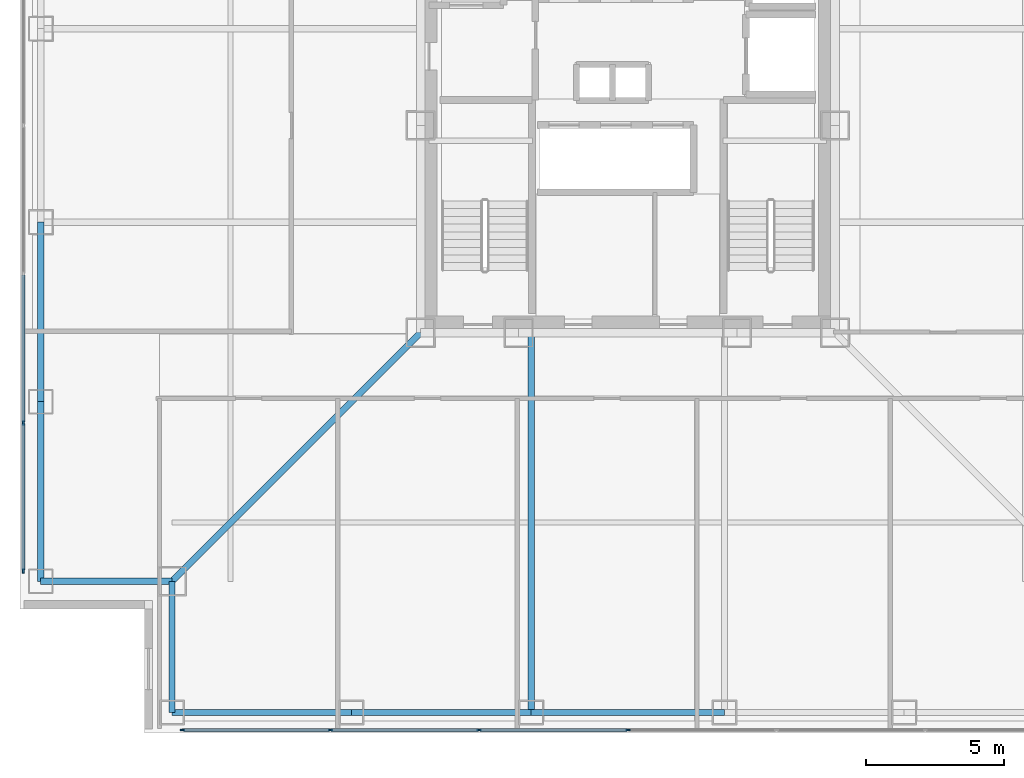
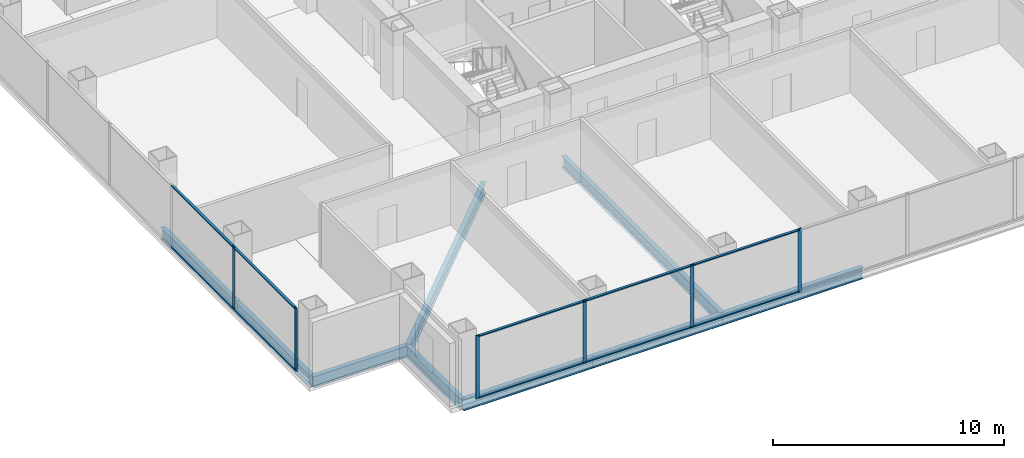
# One storey, part 2 of 17: 16 members, 9 beams, 2 elements without a shape of their own.
"""IFC4 building model written with IfcOpenShell, lengths in metres."""

import ifcopenshell
import ifcopenshell.guid

model = None  # the IFC model being written
_history = None  # IfcOwnerHistory: only IFC2X3 demands one
_inside = {}  # id of a spatial element -> (the spatial element, [elements in it])
_under = {}  # id of a project, library or spatial element -> (it, [spatial elements below it])
_declared = {}  # id of a project -> (the project, [libraries it declares])
_typed = {}  # id of a type object -> (the type object, [elements of that type])
_made_of = {}  # id of a material, layer set ... -> (it, [elements and type objects made of it])


def new_model(schema):
    """Start an empty IFC model of exactly this schema.

    Asked for "IFC4X3", IfcOpenShell would pick the latest addendum, in which some entities
    have other attributes; the version numbers below select the first issue.
    IFC2X3 requires an IfcOwnerHistory on every rooted entity: one is made here for all.
    """
    global model, _history
    if schema == "IFC4X3":
        model = ifcopenshell.file(schema_version=(4, 3, 0, 0))
    else:
        model = ifcopenshell.file(schema=schema)
    _inside.clear()
    _under.clear()
    _declared.clear()
    _typed.clear()
    _made_of.clear()
    _history = None
    if model.schema == "IFC2X3":
        org = make("IfcOrganization", Name="unknown")
        user = make(
            "IfcPersonAndOrganization",
            ThePerson=make("IfcPerson", FamilyName="unknown"),
            TheOrganization=org,
        )
        app = make(
            "IfcApplication",
            ApplicationDeveloper=org,
            Version="unknown",
            ApplicationFullName="unknown",
            ApplicationIdentifier="unknown",
        )
        _history = make(
            "IfcOwnerHistory",
            OwningUser=user,
            OwningApplication=app,
            ChangeAction="ADDED",
            CreationDate=0,
        )
    return model


def make(cls, **values):
    """One entity of the class cls with the attributes given. An attribute that is None is left unset."""
    return model.create_entity(
        cls, **{name: value for name, value in values.items() if value is not None}
    )


def rooted(cls, **values):
    """An entity with a GlobalId (a new one), such as an element, a storey or a relation."""
    return make(cls, GlobalId=ifcopenshell.guid.new(), OwnerHistory=_history, **values)


def si_unit(unit_type, name, prefix=None):
    """IfcSIUnit, for example si_unit("LENGTHUNIT", "METRE", prefix="MILLI")."""
    return make("IfcSIUnit", UnitType=unit_type, Prefix=prefix, Name=name)


def assignment(units):
    """IfcUnitAssignment: the units of a project."""
    return None if units is None else make("IfcUnitAssignment", Units=units)


def point(xyz):
    """IfcCartesianPoint."""
    return None if xyz is None else make("IfcCartesianPoint", Coordinates=xyz)


def direction(xyz):
    """IfcDirection."""
    return None if xyz is None else make("IfcDirection", DirectionRatios=xyz)


def frame(location, z_axis=None, x_axis=None):
    """IfcAxis2Placement3D, a coordinate frame: its origin and axes. An axis left out is left unset."""
    return make(
        "IfcAxis2Placement3D",
        Location=point(location),
        Axis=direction(z_axis),
        RefDirection=direction(x_axis),
    )


def frame_2d(location, x_axis=None):
    """IfcAxis2Placement2D, a coordinate frame in the plane: its origin and x axis."""
    return make(
        "IfcAxis2Placement2D", Location=point(location), RefDirection=direction(x_axis)
    )


def origin():
    """The frame at (0, 0, 0) with its axes left unset."""
    return frame((0.0, 0.0, 0.0))


def origin_2d():
    """The frame at (0, 0) in the plane with its x axis left unset."""
    return frame_2d((0.0, 0.0))


def place(relative_to, where):
    """IfcLocalPlacement: puts the frame where relative to a parent placement (None: the world)."""
    return make(
        "IfcLocalPlacement", PlacementRelTo=relative_to, RelativePlacement=where
    )


def context(
    kind, dimensions, precision=None, world=None, true_north=None, identifier=None
):
    """IfcGeometricRepresentationContext, for example the 3D "Model" context."""
    return make(
        "IfcGeometricRepresentationContext",
        ContextIdentifier=identifier,
        ContextType=kind,
        CoordinateSpaceDimension=dimensions,
        Precision=precision,
        WorldCoordinateSystem=world,
        TrueNorth=true_north,
    )


def subcontext(parent, identifier, kind, view, scale=None):
    """IfcGeometricRepresentationSubContext, for example "Body" below "Model"."""
    return make(
        "IfcGeometricRepresentationSubContext",
        ContextIdentifier=identifier,
        ContextType=kind,
        ParentContext=parent,
        TargetScale=scale,
        TargetView=view,
    )


def project(units=None, contexts=None):
    """IfcProject with its units and contexts."""
    return rooted(
        "IfcProject",
        Name="project",
        RepresentationContexts=contexts,
        UnitsInContext=assignment(units),
    )


def spatial(cls, under=None, at=None, **own):
    """A site, building, storey or space (cls), placed at a placement, below another one or the project."""
    s = rooted(cls, ObjectPlacement=at, **own)
    if under is not None:
        _under.setdefault(under.id(), (under, []))[1].append(s)
    return s


def profile(cls, at=None, kind="AREA", **sizes):
    """A parametric profile (cls). Its sizes go by their IFC names, for example OverallWidth=200.0."""
    return make(cls, ProfileType=kind, Position=at, **sizes)


def rectangle(**sizes):
    """IfcRectangleProfileDef."""
    return profile("IfcRectangleProfileDef", **sizes)


def i_section(**sizes):
    """IfcIShapeProfileDef."""
    return profile("IfcIShapeProfileDef", **sizes)


def extrude(swept, where, along, depth):
    """IfcExtrudedAreaSolid: the profile swept, set in the frame where, extruded along a direction by depth."""
    return make(
        "IfcExtrudedAreaSolid",
        SweptArea=swept,
        Position=where,
        ExtrudedDirection=direction(along),
        Depth=depth,
    )


def shape(context_of_items, identifier, shape_type, items):
    """IfcShapeRepresentation: the items that make up one representation, for example the "Body"."""
    return make(
        "IfcShapeRepresentation",
        ContextOfItems=context_of_items,
        RepresentationIdentifier=identifier,
        RepresentationType=shape_type,
        Items=items,
    )


def material(Name=None, Category=None):
    """IfcMaterial."""
    return make("IfcMaterial", Name=Name, Category=Category)


def layer(
    of_material, thickness, ventilated=None, Name=None, Category=None, Priority=None
):
    """IfcMaterialLayer: one layer of a wall or slab, of a material (None: an air gap)."""
    return make(
        "IfcMaterialLayer",
        Material=of_material,
        LayerThickness=thickness,
        IsVentilated=ventilated,
        Name=Name,
        Category=Category,
        Priority=Priority,
    )


def layer_set(layers, Name=None):
    """IfcMaterialLayerSet."""
    return make("IfcMaterialLayerSet", MaterialLayers=layers, LayerSetName=Name)


def material_profile(
    of_material, cross_section, Name=None, Category=None, Priority=None
):
    """IfcMaterialProfile: a cross section and its material."""
    return make(
        "IfcMaterialProfile",
        Name=Name,
        Material=of_material,
        Profile=cross_section,
        Priority=Priority,
        Category=Category,
    )


def profile_set(profiles, Name=None, composite=None):
    """IfcMaterialProfileSet."""
    return make(
        "IfcMaterialProfileSet",
        Name=Name,
        MaterialProfiles=profiles,
        CompositeProfile=composite,
    )


def made_of(thing, what):
    """Note that an element or type object is made of a material, layer set ...; save() writes the relation."""
    if what is not None:
        _made_of.setdefault(what.id(), (what, []))[1].append(thing)
    return thing


def type_object(cls, material=None, **own):
    """A type object (cls), such as IfcWallType, which elements share."""
    return made_of(rooted(cls, **own), material)


def element(
    cls,
    number,
    at=None,
    inside=None,
    cuts=None,
    type_object=None,
    material=None,
    context=None,
    identifier="Body",
    shape_type=None,
    held_by="IfcProductDefinitionShape",
    body=None,
    shapes=None,
    **own,
):
    """One element of the class cls, such as IfcWall. Its Tag is "e" and its number.

    at: its placement. inside: the storey or other place that contains it. cuts: it is an
    opening in that element (IfcRelVoidsElement). A single representation is given by context,
    identifier, shape_type and body (its items); several are given by shapes. held_by: the class
    of the entity that holds the representations. save() writes the other relations.
    """
    e = rooted(cls, Tag="e%d" % number, ObjectPlacement=at, **own)
    if body is not None:
        shapes = [shape(context, identifier, shape_type, body)]
    if shapes is not None:
        e.Representation = make(held_by, Representations=shapes)
    if inside is not None:
        _inside.setdefault(inside.id(), (inside, []))[1].append(e)
    if cuts is not None:
        rooted(
            "IfcRelVoidsElement", RelatingBuildingElement=cuts, RelatedOpeningElement=e
        )
    if type_object is not None:
        _typed.setdefault(type_object.id(), (type_object, []))[1].append(e)
    return made_of(e, material)


def aggregate(whole, parts):
    """IfcRelAggregates: a whole, such as a stair, and the parts it consists of."""
    return rooted("IfcRelAggregates", RelatingObject=whole, RelatedObjects=parts)


def save(model, path):
    """Write the relations noted so far, then the file.

    IfcRelAggregates (storeys below a building ...), IfcRelContainedInSpatialStructure (elements
    in a storey), IfcRelDefinesByType, IfcRelAssociatesMaterial and IfcRelDeclares: one each for
    every whole, place, type object, material and project.
    """
    for whole, parts in _under.values():
        aggregate(whole, parts)
    for where, things in _inside.values():
        rooted(
            "IfcRelContainedInSpatialStructure",
            RelatedElements=things,
            RelatingStructure=where,
        )
    for kind, things in _typed.values():
        rooted("IfcRelDefinesByType", RelatedObjects=things, RelatingType=kind)
    for what, things in _made_of.values():
        rooted("IfcRelAssociatesMaterial", RelatedObjects=things, RelatingMaterial=what)
    for by, libraries in _declared.values():
        rooted("IfcRelDeclares", RelatingContext=by, RelatedDefinitions=libraries)
    model.write(path)


model = new_model("IFC4")

# Units and contexts
model_context = context("Model", 3, precision=1e-05, world=origin(), true_north=direction((0.0, 1.0)))
body_context = subcontext(model_context, "Body", "Model", "MODEL_VIEW")
ifc_project = project(units=[si_unit("LENGTHUNIT", "METRE"), si_unit("AREAUNIT", "SQUARE_METRE"), si_unit("VOLUMEUNIT", "CUBIC_METRE"), si_unit("PLANEANGLEUNIT", "RADIAN"), si_unit("MASSUNIT", "GRAM", prefix="KILO")], contexts=[model_context])

# Site, building, storey
site_placement = place(None, origin())
site = spatial("IfcSite", under=ifc_project, at=site_placement, CompositionType="ELEMENT")
building_placement = place(site_placement, origin())
building = spatial("IfcBuilding", under=site, at=building_placement, Name="Trevonay Congress Spire", CompositionType="ELEMENT")
storey_placement = place(building_placement, frame((0.0, 0.0, 108.39990234375)))
storey = spatial("IfcBuildingStorey", under=building, at=storey_placement, Name="L27", CompositionType="ELEMENT", Elevation=108.39990234375)

# Beams
ifc_material_1 = material(Name="Steel ASTM A572 Grade 50", Category="steel")
ifc_material_profile_1 = material_profile(ifc_material_1, i_section(OverallWidth=0.22998046875, OverallDepth=0.616943359375, WebThickness=0.01318359375, FlangeThickness=0.022216796875, FilletRadius=0.01611328125, at=origin_2d()), Name="W610x140")
ifc_profile_set_1 = profile_set([ifc_material_profile_1], Name="Steel ASTM A572 Grade 50")
beam_type_1 = type_object("IfcBeamType", Name="BM-GIRD-W610X140", PredefinedType="BEAM", material=ifc_profile_set_1)
beam_1_placement = place(storey_placement, frame((-7.5, -7.5, -0.54833984375), z_axis=(-0.707106781187, -0.707106781187, 0.0), x_axis=(0.707106781187, -0.707106781187, 0.0)))
element("IfcBeam", 1, at=beam_1_placement, inside=storey, type_object=beam_type_1, Name="L27 structural beam BM-L27-CDSW", PredefinedType="BEAM", context=body_context, shape_type="SweptSolid", body=[
    extrude(i_section(OverallWidth=0.22998046875, OverallDepth=0.616943359375, WebThickness=0.01318359375, FlangeThickness=0.022216796875, FilletRadius=0.01611328125, at=origin_2d()), origin(), (0.0, 0.0, 1.0), 12.72802734375),
])
beam_2_placement = place(storey_placement, frame((-3.5, -7.5, -0.54833984375), z_axis=(0.0, -1.0, 0.0), x_axis=(1.0, 0.0, 0.0)))
element("IfcBeam", 2, at=beam_2_placement, inside=storey, type_object=beam_type_1, Name="L27 structural beam BM-L27-GS-M", PredefinedType="BEAM", context=body_context, shape_type="SweptSolid", body=[
    extrude(i_section(OverallWidth=0.22998046875, OverallDepth=0.616943359375, WebThickness=0.01318359375, FlangeThickness=0.022216796875, FilletRadius=0.01611328125, at=origin_2d()), origin(), (0.0, 0.0, 1.0), 13.75),
])
ifc_material_profile_2 = material_profile(ifc_material_1, i_section(OverallWidth=0.22802734375, OverallDepth=0.60791015625, WebThickness=0.01123046875, FlangeThickness=0.017333984375, FilletRadius=0.01611328125, at=origin_2d()), Name="W610x113")
ifc_profile_set_2 = profile_set([ifc_material_profile_2], Name="Steel ASTM A572 Grade 50")
beam_type_2 = type_object("IfcBeamType", Name="BM-RING-W610X113", PredefinedType="BEAM", material=ifc_profile_set_2)
for number, where, z_axis, x_axis, name in (
    (3, (-16.5, -21.25, -0.5439453125), (1.0, 0.0, 0.0), (0.0, 1.0, 0.0), "L27 structural beam BM-L27-PS1"),
    (4, (-21.25, -16.5, -0.5439453125), (0.0, 1.0, 0.0), (-1.0, 0.0, 0.0), "L27 structural beam BM-L27-PW1"),
    (5, (-10.0, -21.25, -0.5439453125), (1.0, 0.0, 0.0), (0.0, 1.0, 0.0), "L27 structural beam BM-L27-PS2"),
    (6, (-21.25, -10.0, -0.5439453125), (0.0, 1.0, 0.0), (-1.0, 0.0, 0.0), "L27 structural beam BM-L27-PW2"),
):
    element("IfcBeam", number, at=place(storey_placement, frame(where, z_axis=z_axis, x_axis=x_axis)), inside=storey, type_object=beam_type_2, Name=name, PredefinedType="BEAM", context=body_context, shape_type="SweptSolid", body=[
        extrude(i_section(OverallWidth=0.22802734375, OverallDepth=0.60791015625, WebThickness=0.01123046875, FlangeThickness=0.017333984375, FilletRadius=0.01611328125, at=origin_2d()), origin(), (0.0, 0.0, 1.0), 6.5),
    ])
beam_3_placement = place(storey_placement, frame((-3.5, -21.25, -0.5439453125), z_axis=(1.0, 0.0, 0.0), x_axis=(0.0, 1.0, 0.0)))
element("IfcBeam", 7, at=beam_3_placement, inside=storey, type_object=beam_type_2, Name="L27 structural beam BM-L27-PS3", PredefinedType="BEAM", context=body_context, shape_type="SweptSolid", body=[
    extrude(i_section(OverallWidth=0.22802734375, OverallDepth=0.60791015625, WebThickness=0.01123046875, FlangeThickness=0.017333984375, FilletRadius=0.01611328125, at=origin_2d()), origin(), (0.0, 0.0, 1.0), 7.0),
])
for number, where, z_axis, x_axis, name in (
    (8, (-16.5, -21.25, -0.5439453125), (0.0, 1.0, 0.0), (-1.0, 0.0, 0.0), "L27 structural beam BM-L27-N1SW"),
    (9, (-21.25, -16.5, -0.5439453125), (1.0, 0.0, 0.0), (0.0, 1.0, 0.0), "L27 structural beam BM-L27-N2SW"),
):
    element("IfcBeam", number, at=place(storey_placement, frame(where, z_axis=z_axis, x_axis=x_axis)), inside=storey, type_object=beam_type_2, Name=name, PredefinedType="BEAM", context=body_context, shape_type="SweptSolid", body=[
        extrude(i_section(OverallWidth=0.22802734375, OverallDepth=0.60791015625, WebThickness=0.01123046875, FlangeThickness=0.017333984375, FilletRadius=0.01611328125, at=origin_2d()), origin(), (0.0, 0.0, 1.0), 4.75),
    ])

# Curtain wall, members
ifc_material_2 = material(Name="Pale Anodised Aluminium EN AW-6063-T6", Category="aluminium")
ifc_layer = layer(ifc_material_2, 0.175048828125, Name="Pale Anodised Aluminium EN AW-6063-T6")
ifc_layer_set = layer_set([ifc_layer], Name="Pale Anodised Aluminium EN AW-6063-T6")
curtain_wall_type = type_object("IfcCurtainWallType", Name="CW-SYS03-CONGRESS-PALE-METAL", PredefinedType="NOTDEFINED", material=ifc_layer_set)
curtain_wall_1_placement = place(storey_placement, origin())
curtain_wall_1 = element("IfcCurtainWall", 10, at=curtain_wall_1_placement, inside=storey, type_object=curtain_wall_type, Name="L27 S unitised curtain wall", PredefinedType="NOTDEFINED")
ifc_material_profile_3 = material_profile(ifc_material_2, rectangle(XDim=0.06005859375, YDim=0.159912109375, at=origin_2d()), Name="CW-MULLION-160-ALUMINIUM")
ifc_profile_set_3 = profile_set([ifc_material_profile_3], Name="Pale Anodised Aluminium EN AW-6063-T6")
member_type_1 = type_object("IfcMemberType", Name="CW-MULLION-160-ALUMINIUM", PredefinedType="MULLION", material=ifc_profile_set_3)
member_1_placement = place(storey_placement, frame((-16.1201171875, -21.8798828125, 0.0), z_axis=(0.0, 0.0, 1.0), x_axis=(0.0, 1.0, 0.0)))
member_1 = element("IfcMember", 11, at=member_1_placement, type_object=member_type_1, Name="CW03 mullion 1", PredefinedType="MULLION", context=body_context, shape_type="SweptSolid", body=[
    extrude(rectangle(XDim=0.06005859375, YDim=0.159912109375, at=origin_2d()), origin(), (0.0, 0.0, 1.0), 3.360107421875),
])
member_2_placement = place(storey_placement, frame((-10.7666015625, -21.8798828125, 0.0), z_axis=(0.0, 0.0, 1.0), x_axis=(0.0, 1.0, 0.0)))
member_2 = element("IfcMember", 12, at=member_2_placement, type_object=member_type_1, Name="CW03 mullion 2", PredefinedType="MULLION", context=body_context, shape_type="SweptSolid", body=[
    extrude(rectangle(XDim=0.06005859375, YDim=0.159912109375, at=origin_2d()), origin(), (0.0, 0.0, 1.0), 3.360107421875),
])
member_3_placement = place(storey_placement, frame((-5.38330078125, -21.8798828125, 0.0), z_axis=(0.0, 0.0, 1.0), x_axis=(0.0, 1.0, 0.0)))
member_3 = element("IfcMember", 13, at=member_3_placement, type_object=member_type_1, Name="CW03 mullion 3", PredefinedType="MULLION", context=body_context, shape_type="SweptSolid", body=[
    extrude(rectangle(XDim=0.06005859375, YDim=0.159912109375, at=origin_2d()), origin(), (0.0, 0.0, 1.0), 3.360107421875),
])
member_4_placement = place(storey_placement, frame((0.0, -21.8798828125, 0.0), z_axis=(0.0, 0.0, 1.0), x_axis=(0.0, 1.0, 0.0)))
member_4 = element("IfcMember", 14, at=member_4_placement, type_object=member_type_1, Name="CW03 mullion 4", PredefinedType="MULLION", context=body_context, shape_type="SweptSolid", body=[
    extrude(rectangle(XDim=0.06005859375, YDim=0.159912109375, at=origin_2d()), origin(), (0.0, 0.0, 1.0), 3.360107421875),
])

curtain_wall_2_placement = place(storey_placement, origin())
curtain_wall_2 = element("IfcCurtainWall", 15, at=curtain_wall_2_placement, inside=storey, type_object=curtain_wall_type, Name="L27 W unitised curtain wall", PredefinedType="NOTDEFINED")
member_5_placement = place(storey_placement, frame((-21.8798828125, -16.1201171875, 0.0), z_axis=(0.0, 0.0, 1.0), x_axis=(-1.0, 0.0, 0.0)))
member_5 = element("IfcMember", 16, at=member_5_placement, type_object=member_type_1, Name="CW03 mullion 1", PredefinedType="MULLION", context=body_context, shape_type="SweptSolid", body=[
    extrude(rectangle(XDim=0.06005859375, YDim=0.159912109375, at=origin_2d()), origin(), (0.0, 0.0, 1.0), 3.360107421875),
])
member_6_placement = place(storey_placement, frame((-21.8798828125, -10.7666015625, 0.0), z_axis=(0.0, 0.0, 1.0), x_axis=(-1.0, 0.0, 0.0)))
member_6 = element("IfcMember", 17, at=member_6_placement, type_object=member_type_1, Name="CW03 mullion 2", PredefinedType="MULLION", context=body_context, shape_type="SweptSolid", body=[
    extrude(rectangle(XDim=0.06005859375, YDim=0.159912109375, at=origin_2d()), origin(), (0.0, 0.0, 1.0), 3.360107421875),
])

# Member
ifc_material_profile_4 = material_profile(ifc_material_2, rectangle(XDim=0.1201171875, YDim=0.06005859375, at=origin_2d()), Name="CW-TRANSOM-120-ALUMINIUM")
ifc_profile_set_4 = profile_set([ifc_material_profile_4], Name="Pale Anodised Aluminium EN AW-6063-T6")
member_type_2 = type_object("IfcMemberType", Name="CW-TRANSOM-120-ALUMINIUM", PredefinedType="USERDEFINED", material=ifc_profile_set_4)
member_7_placement = place(storey_placement, frame((-16.090087890625, -21.8798828125, 0.06005859375), z_axis=(1.0, 0.0, 0.0), x_axis=(0.0, 1.0, 0.0)))
member_7 = element("IfcMember", 18, at=member_7_placement, type_object=member_type_2, Name="CW03 transom 1.1", ObjectType="TRANSOM", PredefinedType="USERDEFINED", context=body_context, shape_type="SweptSolid", body=[
    extrude(rectangle(XDim=0.1201171875, YDim=0.06005859375, at=origin_2d()), origin(), (0.0, 0.0, 1.0), 5.29345703125),
])

member_8_placement = place(storey_placement, frame((-16.090087890625, -21.8798828125, 3.300048828125), z_axis=(1.0, 0.0, 0.0), x_axis=(0.0, 1.0, 0.0)))
member_8 = element("IfcMember", 19, at=member_8_placement, type_object=member_type_2, Name="CW03 transom 1.2", ObjectType="TRANSOM", PredefinedType="USERDEFINED", context=body_context, shape_type="SweptSolid", body=[
    extrude(rectangle(XDim=0.1201171875, YDim=0.06005859375, at=origin_2d()), origin(), (0.0, 0.0, 1.0), 5.29345703125),
])

member_9_placement = place(storey_placement, frame((-10.736572265625, -21.8798828125, 0.06005859375), z_axis=(1.0, 0.0, 0.0), x_axis=(0.0, 1.0, 0.0)))
member_9 = element("IfcMember", 20, at=member_9_placement, type_object=member_type_2, Name="CW03 transom 2.1", ObjectType="TRANSOM", PredefinedType="USERDEFINED", context=body_context, shape_type="SweptSolid", body=[
    extrude(rectangle(XDim=0.1201171875, YDim=0.06005859375, at=origin_2d()), origin(), (0.0, 0.0, 1.0), 5.3232421875),
])

member_10_placement = place(storey_placement, frame((-10.736572265625, -21.8798828125, 3.300048828125), z_axis=(1.0, 0.0, 0.0), x_axis=(0.0, 1.0, 0.0)))
member_10 = element("IfcMember", 21, at=member_10_placement, type_object=member_type_2, Name="CW03 transom 2.2", ObjectType="TRANSOM", PredefinedType="USERDEFINED", context=body_context, shape_type="SweptSolid", body=[
    extrude(rectangle(XDim=0.1201171875, YDim=0.06005859375, at=origin_2d()), origin(), (0.0, 0.0, 1.0), 5.3232421875),
])

member_11_placement = place(storey_placement, frame((-5.353271484375, -21.8798828125, 0.06005859375), z_axis=(1.0, 0.0, 0.0), x_axis=(0.0, 1.0, 0.0)))
member_11 = element("IfcMember", 22, at=member_11_placement, type_object=member_type_2, Name="CW03 transom 3.1", ObjectType="TRANSOM", PredefinedType="USERDEFINED", context=body_context, shape_type="SweptSolid", body=[
    extrude(rectangle(XDim=0.1201171875, YDim=0.06005859375, at=origin_2d()), origin(), (0.0, 0.0, 1.0), 5.3232421875),
])

member_12_placement = place(storey_placement, frame((-5.353271484375, -21.8798828125, 3.300048828125), z_axis=(1.0, 0.0, 0.0), x_axis=(0.0, 1.0, 0.0)))
member_12 = element("IfcMember", 23, at=member_12_placement, type_object=member_type_2, Name="CW03 transom 3.2", ObjectType="TRANSOM", PredefinedType="USERDEFINED", context=body_context, shape_type="SweptSolid", body=[
    extrude(rectangle(XDim=0.1201171875, YDim=0.06005859375, at=origin_2d()), origin(), (0.0, 0.0, 1.0), 5.3232421875),
])

aggregate(curtain_wall_1, [member_1, member_2, member_3, member_4, member_7, member_8, member_9, member_10, member_11, member_12])

member_13_placement = place(storey_placement, frame((-21.8798828125, -16.090087890625, 0.06005859375), z_axis=(0.0, 1.0, 0.0), x_axis=(-1.0, 0.0, 0.0)))
member_13 = element("IfcMember", 24, at=member_13_placement, type_object=member_type_2, Name="CW03 transom 1.1", ObjectType="TRANSOM", PredefinedType="USERDEFINED", context=body_context, shape_type="SweptSolid", body=[
    extrude(rectangle(XDim=0.1201171875, YDim=0.06005859375, at=origin_2d()), origin(), (0.0, 0.0, 1.0), 5.29345703125),
])

member_14_placement = place(storey_placement, frame((-21.8798828125, -16.090087890625, 3.300048828125), z_axis=(0.0, 1.0, 0.0), x_axis=(-1.0, 0.0, 0.0)))
member_14 = element("IfcMember", 25, at=member_14_placement, type_object=member_type_2, Name="CW03 transom 1.2", ObjectType="TRANSOM", PredefinedType="USERDEFINED", context=body_context, shape_type="SweptSolid", body=[
    extrude(rectangle(XDim=0.1201171875, YDim=0.06005859375, at=origin_2d()), origin(), (0.0, 0.0, 1.0), 5.29345703125),
])

member_15_placement = place(storey_placement, frame((-21.8798828125, -10.736572265625, 0.06005859375), z_axis=(0.0, 1.0, 0.0), x_axis=(-1.0, 0.0, 0.0)))
member_15 = element("IfcMember", 26, at=member_15_placement, type_object=member_type_2, Name="CW03 transom 2.1", ObjectType="TRANSOM", PredefinedType="USERDEFINED", context=body_context, shape_type="SweptSolid", body=[
    extrude(rectangle(XDim=0.1201171875, YDim=0.06005859375, at=origin_2d()), origin(), (0.0, 0.0, 1.0), 5.3232421875),
])

member_16_placement = place(storey_placement, frame((-21.8798828125, -10.736572265625, 3.300048828125), z_axis=(0.0, 1.0, 0.0), x_axis=(-1.0, 0.0, 0.0)))
member_16 = element("IfcMember", 27, at=member_16_placement, type_object=member_type_2, Name="CW03 transom 2.2", ObjectType="TRANSOM", PredefinedType="USERDEFINED", context=body_context, shape_type="SweptSolid", body=[
    extrude(rectangle(XDim=0.1201171875, YDim=0.06005859375, at=origin_2d()), origin(), (0.0, 0.0, 1.0), 5.3232421875),
])

aggregate(curtain_wall_2, [member_5, member_6, member_13, member_14, member_15, member_16])

save(model, "model.ifc")
